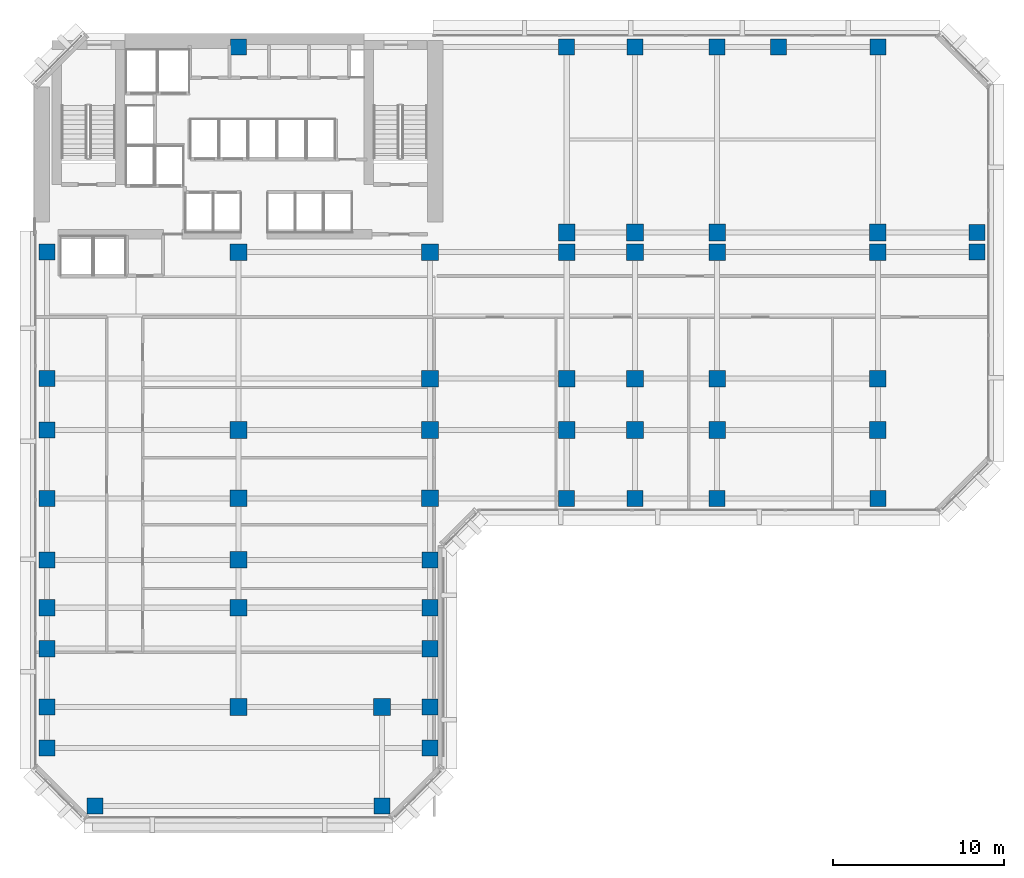
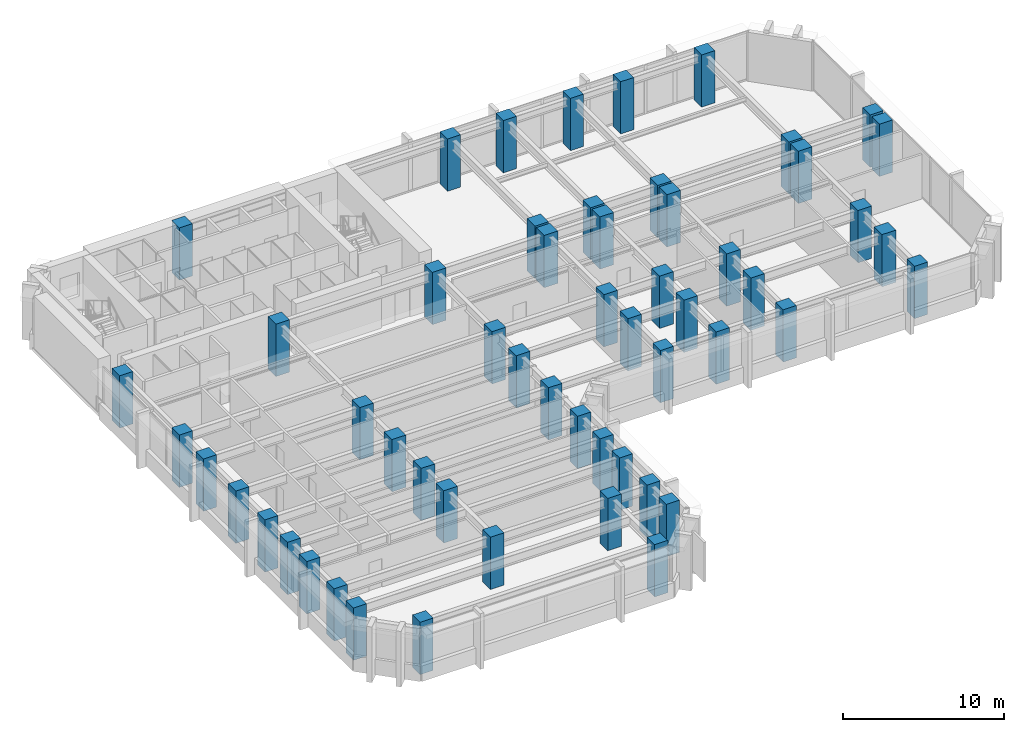
# One storey, part 1 of 13: 55 columns.
"""IFC4 building model written with IfcOpenShell, lengths in metres."""

import ifcopenshell
import ifcopenshell.guid

model = None  # the IFC model being written
_history = None  # IfcOwnerHistory: only IFC2X3 demands one
_inside = {}  # id of a spatial element -> (the spatial element, [elements in it])
_under = {}  # id of a project, library or spatial element -> (it, [spatial elements below it])
_declared = {}  # id of a project -> (the project, [libraries it declares])
_typed = {}  # id of a type object -> (the type object, [elements of that type])
_made_of = {}  # id of a material, layer set ... -> (it, [elements and type objects made of it])


def new_model(schema):
    """Start an empty IFC model of exactly this schema.

    Asked for "IFC4X3", IfcOpenShell would pick the latest addendum, in which some entities
    have other attributes; the version numbers below select the first issue.
    IFC2X3 requires an IfcOwnerHistory on every rooted entity: one is made here for all.
    """
    global model, _history
    if schema == "IFC4X3":
        model = ifcopenshell.file(schema_version=(4, 3, 0, 0))
    else:
        model = ifcopenshell.file(schema=schema)
    _inside.clear()
    _under.clear()
    _declared.clear()
    _typed.clear()
    _made_of.clear()
    _history = None
    if model.schema == "IFC2X3":
        org = make("IfcOrganization", Name="unknown")
        user = make(
            "IfcPersonAndOrganization",
            ThePerson=make("IfcPerson", FamilyName="unknown"),
            TheOrganization=org,
        )
        app = make(
            "IfcApplication",
            ApplicationDeveloper=org,
            Version="unknown",
            ApplicationFullName="unknown",
            ApplicationIdentifier="unknown",
        )
        _history = make(
            "IfcOwnerHistory",
            OwningUser=user,
            OwningApplication=app,
            ChangeAction="ADDED",
            CreationDate=0,
        )
    return model


def make(cls, **values):
    """One entity of the class cls with the attributes given. An attribute that is None is left unset."""
    return model.create_entity(
        cls, **{name: value for name, value in values.items() if value is not None}
    )


def rooted(cls, **values):
    """An entity with a GlobalId (a new one), such as an element, a storey or a relation."""
    return make(cls, GlobalId=ifcopenshell.guid.new(), OwnerHistory=_history, **values)


def si_unit(unit_type, name, prefix=None):
    """IfcSIUnit, for example si_unit("LENGTHUNIT", "METRE", prefix="MILLI")."""
    return make("IfcSIUnit", UnitType=unit_type, Prefix=prefix, Name=name)


def assignment(units):
    """IfcUnitAssignment: the units of a project."""
    return None if units is None else make("IfcUnitAssignment", Units=units)


def point(xyz):
    """IfcCartesianPoint."""
    return None if xyz is None else make("IfcCartesianPoint", Coordinates=xyz)


def direction(xyz):
    """IfcDirection."""
    return None if xyz is None else make("IfcDirection", DirectionRatios=xyz)


def frame(location, z_axis=None, x_axis=None):
    """IfcAxis2Placement3D, a coordinate frame: its origin and axes. An axis left out is left unset."""
    return make(
        "IfcAxis2Placement3D",
        Location=point(location),
        Axis=direction(z_axis),
        RefDirection=direction(x_axis),
    )


def frame_2d(location, x_axis=None):
    """IfcAxis2Placement2D, a coordinate frame in the plane: its origin and x axis."""
    return make(
        "IfcAxis2Placement2D", Location=point(location), RefDirection=direction(x_axis)
    )


def origin():
    """The frame at (0, 0, 0) with its axes left unset."""
    return frame((0.0, 0.0, 0.0))


def origin_2d():
    """The frame at (0, 0) in the plane with its x axis left unset."""
    return frame_2d((0.0, 0.0))


def place(relative_to, where):
    """IfcLocalPlacement: puts the frame where relative to a parent placement (None: the world)."""
    return make(
        "IfcLocalPlacement", PlacementRelTo=relative_to, RelativePlacement=where
    )


def context(
    kind, dimensions, precision=None, world=None, true_north=None, identifier=None
):
    """IfcGeometricRepresentationContext, for example the 3D "Model" context."""
    return make(
        "IfcGeometricRepresentationContext",
        ContextIdentifier=identifier,
        ContextType=kind,
        CoordinateSpaceDimension=dimensions,
        Precision=precision,
        WorldCoordinateSystem=world,
        TrueNorth=true_north,
    )


def subcontext(parent, identifier, kind, view, scale=None):
    """IfcGeometricRepresentationSubContext, for example "Body" below "Model"."""
    return make(
        "IfcGeometricRepresentationSubContext",
        ContextIdentifier=identifier,
        ContextType=kind,
        ParentContext=parent,
        TargetScale=scale,
        TargetView=view,
    )


def project(units=None, contexts=None):
    """IfcProject with its units and contexts."""
    return rooted(
        "IfcProject",
        Name="project",
        RepresentationContexts=contexts,
        UnitsInContext=assignment(units),
    )


def spatial(cls, under=None, at=None, **own):
    """A site, building, storey or space (cls), placed at a placement, below another one or the project."""
    s = rooted(cls, ObjectPlacement=at, **own)
    if under is not None:
        _under.setdefault(under.id(), (under, []))[1].append(s)
    return s


def profile(cls, at=None, kind="AREA", **sizes):
    """A parametric profile (cls). Its sizes go by their IFC names, for example OverallWidth=200.0."""
    return make(cls, ProfileType=kind, Position=at, **sizes)


def rectangle(**sizes):
    """IfcRectangleProfileDef."""
    return profile("IfcRectangleProfileDef", **sizes)


def extrude(swept, where, along, depth):
    """IfcExtrudedAreaSolid: the profile swept, set in the frame where, extruded along a direction by depth."""
    return make(
        "IfcExtrudedAreaSolid",
        SweptArea=swept,
        Position=where,
        ExtrudedDirection=direction(along),
        Depth=depth,
    )


def shape(context_of_items, identifier, shape_type, items):
    """IfcShapeRepresentation: the items that make up one representation, for example the "Body"."""
    return make(
        "IfcShapeRepresentation",
        ContextOfItems=context_of_items,
        RepresentationIdentifier=identifier,
        RepresentationType=shape_type,
        Items=items,
    )


def material(Name=None, Category=None):
    """IfcMaterial."""
    return make("IfcMaterial", Name=Name, Category=Category)


def material_profile(
    of_material, cross_section, Name=None, Category=None, Priority=None
):
    """IfcMaterialProfile: a cross section and its material."""
    return make(
        "IfcMaterialProfile",
        Name=Name,
        Material=of_material,
        Profile=cross_section,
        Priority=Priority,
        Category=Category,
    )


def profile_set(profiles, Name=None, composite=None):
    """IfcMaterialProfileSet."""
    return make(
        "IfcMaterialProfileSet",
        Name=Name,
        MaterialProfiles=profiles,
        CompositeProfile=composite,
    )


def made_of(thing, what):
    """Note that an element or type object is made of a material, layer set ...; save() writes the relation."""
    if what is not None:
        _made_of.setdefault(what.id(), (what, []))[1].append(thing)
    return thing


def type_object(cls, material=None, **own):
    """A type object (cls), such as IfcWallType, which elements share."""
    return made_of(rooted(cls, **own), material)


def element(
    cls,
    number,
    at=None,
    inside=None,
    cuts=None,
    type_object=None,
    material=None,
    context=None,
    identifier="Body",
    shape_type=None,
    held_by="IfcProductDefinitionShape",
    body=None,
    shapes=None,
    **own,
):
    """One element of the class cls, such as IfcWall. Its Tag is "e" and its number.

    at: its placement. inside: the storey or other place that contains it. cuts: it is an
    opening in that element (IfcRelVoidsElement). A single representation is given by context,
    identifier, shape_type and body (its items); several are given by shapes. held_by: the class
    of the entity that holds the representations. save() writes the other relations.
    """
    e = rooted(cls, Tag="e%d" % number, ObjectPlacement=at, **own)
    if body is not None:
        shapes = [shape(context, identifier, shape_type, body)]
    if shapes is not None:
        e.Representation = make(held_by, Representations=shapes)
    if inside is not None:
        _inside.setdefault(inside.id(), (inside, []))[1].append(e)
    if cuts is not None:
        rooted(
            "IfcRelVoidsElement", RelatingBuildingElement=cuts, RelatedOpeningElement=e
        )
    if type_object is not None:
        _typed.setdefault(type_object.id(), (type_object, []))[1].append(e)
    return made_of(e, material)


def aggregate(whole, parts):
    """IfcRelAggregates: a whole, such as a stair, and the parts it consists of."""
    return rooted("IfcRelAggregates", RelatingObject=whole, RelatedObjects=parts)


def save(model, path):
    """Write the relations noted so far, then the file.

    IfcRelAggregates (storeys below a building ...), IfcRelContainedInSpatialStructure (elements
    in a storey), IfcRelDefinesByType, IfcRelAssociatesMaterial and IfcRelDeclares: one each for
    every whole, place, type object, material and project.
    """
    for whole, parts in _under.values():
        aggregate(whole, parts)
    for where, things in _inside.values():
        rooted(
            "IfcRelContainedInSpatialStructure",
            RelatedElements=things,
            RelatingStructure=where,
        )
    for kind, things in _typed.values():
        rooted("IfcRelDefinesByType", RelatedObjects=things, RelatingType=kind)
    for what, things in _made_of.values():
        rooted("IfcRelAssociatesMaterial", RelatedObjects=things, RelatingMaterial=what)
    for by, libraries in _declared.values():
        rooted("IfcRelDeclares", RelatingContext=by, RelatedDefinitions=libraries)
    model.write(path)


model = new_model("IFC4")

# Units and contexts
model_context = context("Model", 3, precision=1e-05, world=origin(), true_north=direction((0.0, 1.0)))
body_context = subcontext(model_context, "Body", "Model", "MODEL_VIEW")
ifc_project = project(units=[si_unit("LENGTHUNIT", "METRE"), si_unit("AREAUNIT", "SQUARE_METRE"), si_unit("VOLUMEUNIT", "CUBIC_METRE"), si_unit("PLANEANGLEUNIT", "RADIAN"), si_unit("MASSUNIT", "GRAM", prefix="KILO")], contexts=[model_context])

# Site, building, storey
site_placement = place(None, origin())
site = spatial("IfcSite", under=ifc_project, at=site_placement, CompositionType="ELEMENT")
building_placement = place(site_placement, origin())
building = spatial("IfcBuilding", under=site, at=building_placement, Name="Kefirva Bronze Tower", CompositionType="ELEMENT")
storey_placement = place(building_placement, frame((0.0, 0.0, 81.840087890625)))
storey = spatial("IfcBuildingStorey", under=building, at=storey_placement, Name="L19", CompositionType="ELEMENT", Elevation=81.840087890625)

# Columns
ifc_material = material(Name="Concrete C60/75", Category="concrete")
ifc_material_profile_1 = material_profile(ifc_material, rectangle(XDim=0.93994140625, YDim=0.93994140625, at=origin_2d()), Name="RC 940x940")
ifc_profile_set_1 = profile_set([ifc_material_profile_1], Name="Concrete C60/75")
column_type_1 = type_object("IfcColumnType", Name="RC Column 940x940 Ext", PredefinedType="COLUMN", material=ifc_profile_set_1)
for number, where, z_axis, x_axis, name in (
    (1, (0.800048828125, 4.199951171875, 0.0), (0.0, 0.0, 1.0), (1.0, 0.0, 0.0), "L19 Column C008_042"),
    (2, (0.800048828125, 6.60009765625, 0.0), (0.0, 0.0, 1.0), (1.0, 0.0, 0.0), "L19 Column C008_066"),
    (3, (0.800048828125, 10.0, 0.0), (0.0, 0.0, 1.0), (1.0, 0.0, 0.0), "L19 Column C008_100"),
    (4, (0.800048828125, 12.39990234375, 0.0), (0.0, 0.0, 1.0), (1.0, 0.0, 0.0), "L19 Column C008_124"),
    (5, (0.800048828125, 15.199951171875, 0.0), (0.0, 0.0, 1.0), (1.0, 0.0, 0.0), "L19 Column C008_152"),
    (6, (0.800048828125, 18.800048828125, 0.0), (0.0, 0.0, 1.0), (1.0, 0.0, 0.0), "L19 Column C008_188"),
    (7, (0.800048828125, 22.800048828125, 0.0), (0.0, 0.0, 1.0), (1.0, 0.0, 0.0), "L19 Column C008_228"),
    (8, (0.800048828125, 25.800048828125, 0.0), (0.0, 0.0, 1.0), (1.0, 0.0, 0.0), "L19 Column C008_258"),
    (9, (0.800048828125, 33.199951171875, 0.0), (0.0, 0.0, 1.0), (1.0, 0.0, 0.0), "L19 Column C008_332"),
    (10, (3.60009765625, 0.800048828125, 0.0), (0.0, 0.0, 1.0), (1.0, 0.0, 0.0), "L19 Column C036_008"),
    (11, (12.0, 45.199951171875, 0.0), (0.0, 0.0, 1.0), (1.0, 0.0, 0.0), "L19 Column C120_452"),
    (12, (20.39990234375, 0.800048828125, 0.0), (0.0, 0.0, 1.0), (1.0, 0.0, 0.0), "L19 Column C204_008"),
    (13, (23.199951171875, 4.199951171875, 0.0), (0.0, 0.0, 1.0), (1.0, 0.0, 0.0), "L19 Column C232_042"),
    (14, (23.199951171875, 6.60009765625, 0.0), (0.0, 0.0, 1.0), (1.0, 0.0, 0.0), "L19 Column C232_066"),
    (15, (23.199951171875, 10.0, 0.0), (0.0, 0.0, 1.0), (1.0, 0.0, 0.0), "L19 Column C232_100"),
    (16, (23.199951171875, 12.39990234375, 0.0), (0.0, 0.0, 1.0), (1.0, 0.0, 0.0), "L19 Column C232_124"),
    (17, (23.199951171875, 15.199951171875, 0.0), (0.0, 0.0, 1.0), (1.0, 0.0, 0.0), "L19 Column C232_152"),
    (18, (31.199951171875, 18.800048828125, 0.0), (0.0, 0.0, 1.0), (1.0, 0.0, 0.0), "L19 Column C312_188"),
    (19, (31.199951171875, 45.199951171875, 0.0), (0.0, 0.0, 1.0), (1.0, 0.0, 0.0), "L19 Column C312_452"),
    (20, (35.199951171875, 18.800048828125, 0.0), (0.0, 0.0, 1.0), (1.0, 0.0, 0.0), "L19 Column C352_188"),
    (21, (35.199951171875, 45.199951171875, 0.0), (0.0, 0.0, 1.0), (1.0, 0.0, 0.0), "L19 Column C352_452"),
    (22, (40.0, 18.800048828125, 0.0), (0.0, 0.0, 1.0), (1.0, 0.0, 0.0), "L19 Column C400_188"),
    (23, (40.0, 45.199951171875, 0.0), (0.0, 0.0, 1.0), (1.0, 0.0, 0.0), "L19 Column C400_452"),
    (24, (43.60009765625, 45.199951171875, 0.0), (0.0, 0.0, 1.0), (1.0, 0.0, 0.0), "L19 Column C436_452"),
    (25, (49.39990234375, 18.800048828125, 0.0), (0.0, 0.0, 1.0), (1.0, 0.0, 0.0), "L19 Column C494_188"),
    (26, (49.39990234375, 45.199951171875, 0.0), (0.0, 0.0, 1.0), (1.0, 0.0, 0.0), "L19 Column C494_452"),
    (27, (55.199951171875, 33.199951171875, 0.0), (0.0, 0.0, 1.0), (1.0, 0.0, 0.0), "L19 Column C552_332"),
    (28, (55.199951171875, 34.35009765625, 0.0), (0.0, 0.0, 1.0), (1.0, 0.0, 0.0), "L19 Column C552_344"),
):
    element("IfcColumn", number, at=place(storey_placement, frame(where, z_axis=z_axis, x_axis=x_axis)), inside=storey, type_object=column_type_1, Name=name, PredefinedType="COLUMN", context=body_context, shape_type="SweptSolid", body=[
        extrude(rectangle(XDim=0.93994140625, YDim=0.93994140625, at=origin_2d()), origin(), (0.0, 0.0, 1.0), 3.9599609375),
    ])
ifc_material_profile_2 = material_profile(ifc_material, rectangle(XDim=0.97998046875, YDim=0.97998046875, at=origin_2d()), Name="RC 980x980")
ifc_profile_set_2 = profile_set([ifc_material_profile_2], Name="Concrete C60/75")
column_type_2 = type_object("IfcColumnType", Name="RC Column 980x980 Int", PredefinedType="COLUMN", material=ifc_profile_set_2)
for number, where, z_axis, x_axis, name in (
    (29, (12.0, 6.60009765625, 0.0), (0.0, 0.0, 1.0), (1.0, 0.0, 0.0), "L19 Column C120_066"),
    (30, (12.0, 12.39990234375, 0.0), (0.0, 0.0, 1.0), (1.0, 0.0, 0.0), "L19 Column C120_124"),
    (31, (12.0, 15.199951171875, 0.0), (0.0, 0.0, 1.0), (1.0, 0.0, 0.0), "L19 Column C120_152"),
    (32, (12.0, 18.800048828125, 0.0), (0.0, 0.0, 1.0), (1.0, 0.0, 0.0), "L19 Column C120_188"),
    (33, (12.0, 22.800048828125, 0.0), (0.0, 0.0, 1.0), (1.0, 0.0, 0.0), "L19 Column C120_228"),
    (34, (12.0, 33.199951171875, 0.0), (0.0, 0.0, 1.0), (1.0, 0.0, 0.0), "L19 Column C120_332"),
    (35, (20.39990234375, 6.60009765625, 0.0), (0.0, 0.0, 1.0), (1.0, 0.0, 0.0), "L19 Column C204_066"),
    (36, (23.199951171875, 18.800048828125, 0.0), (0.0, 0.0, 1.0), (1.0, 0.0, 0.0), "L19 Column C232_188"),
    (37, (23.199951171875, 22.800048828125, 0.0), (0.0, 0.0, 1.0), (1.0, 0.0, 0.0), "L19 Column C232_228"),
    (38, (23.199951171875, 25.800048828125, 0.0), (0.0, 0.0, 1.0), (1.0, 0.0, 0.0), "L19 Column C232_258"),
    (39, (23.199951171875, 33.199951171875, 0.0), (0.0, 0.0, 1.0), (1.0, 0.0, 0.0), "L19 Column C232_332"),
    (40, (31.199951171875, 22.800048828125, 0.0), (0.0, 0.0, 1.0), (1.0, 0.0, 0.0), "L19 Column C312_228"),
    (41, (31.199951171875, 25.800048828125, 0.0), (0.0, 0.0, 1.0), (1.0, 0.0, 0.0), "L19 Column C312_258"),
    (42, (31.199951171875, 33.199951171875, 0.0), (0.0, 0.0, 1.0), (1.0, 0.0, 0.0), "L19 Column C312_332"),
    (43, (31.199951171875, 34.35009765625, 0.0), (0.0, 0.0, 1.0), (1.0, 0.0, 0.0), "L19 Column C312_344"),
    (44, (35.199951171875, 22.800048828125, 0.0), (0.0, 0.0, 1.0), (1.0, 0.0, 0.0), "L19 Column C352_228"),
    (45, (35.199951171875, 25.800048828125, 0.0), (0.0, 0.0, 1.0), (1.0, 0.0, 0.0), "L19 Column C352_258"),
    (46, (35.199951171875, 33.199951171875, 0.0), (0.0, 0.0, 1.0), (1.0, 0.0, 0.0), "L19 Column C352_332"),
    (47, (35.199951171875, 34.35009765625, 0.0), (0.0, 0.0, 1.0), (1.0, 0.0, 0.0), "L19 Column C352_344"),
    (48, (40.0, 22.800048828125, 0.0), (0.0, 0.0, 1.0), (1.0, 0.0, 0.0), "L19 Column C400_228"),
    (49, (40.0, 25.800048828125, 0.0), (0.0, 0.0, 1.0), (1.0, 0.0, 0.0), "L19 Column C400_258"),
    (50, (40.0, 33.199951171875, 0.0), (0.0, 0.0, 1.0), (1.0, 0.0, 0.0), "L19 Column C400_332"),
    (51, (40.0, 34.35009765625, 0.0), (0.0, 0.0, 1.0), (1.0, 0.0, 0.0), "L19 Column C400_344"),
    (52, (49.39990234375, 22.800048828125, 0.0), (0.0, 0.0, 1.0), (1.0, 0.0, 0.0), "L19 Column C494_228"),
    (53, (49.39990234375, 25.800048828125, 0.0), (0.0, 0.0, 1.0), (1.0, 0.0, 0.0), "L19 Column C494_258"),
    (54, (49.39990234375, 33.199951171875, 0.0), (0.0, 0.0, 1.0), (1.0, 0.0, 0.0), "L19 Column C494_332"),
    (55, (49.39990234375, 34.35009765625, 0.0), (0.0, 0.0, 1.0), (1.0, 0.0, 0.0), "L19 Column C494_344"),
):
    element("IfcColumn", number, at=place(storey_placement, frame(where, z_axis=z_axis, x_axis=x_axis)), inside=storey, type_object=column_type_2, Name=name, PredefinedType="COLUMN", context=body_context, shape_type="SweptSolid", body=[
        extrude(rectangle(XDim=0.97998046875, YDim=0.97998046875, at=origin_2d()), origin(), (0.0, 0.0, 1.0), 3.9599609375),
    ])

save(model, "model.ifc")
